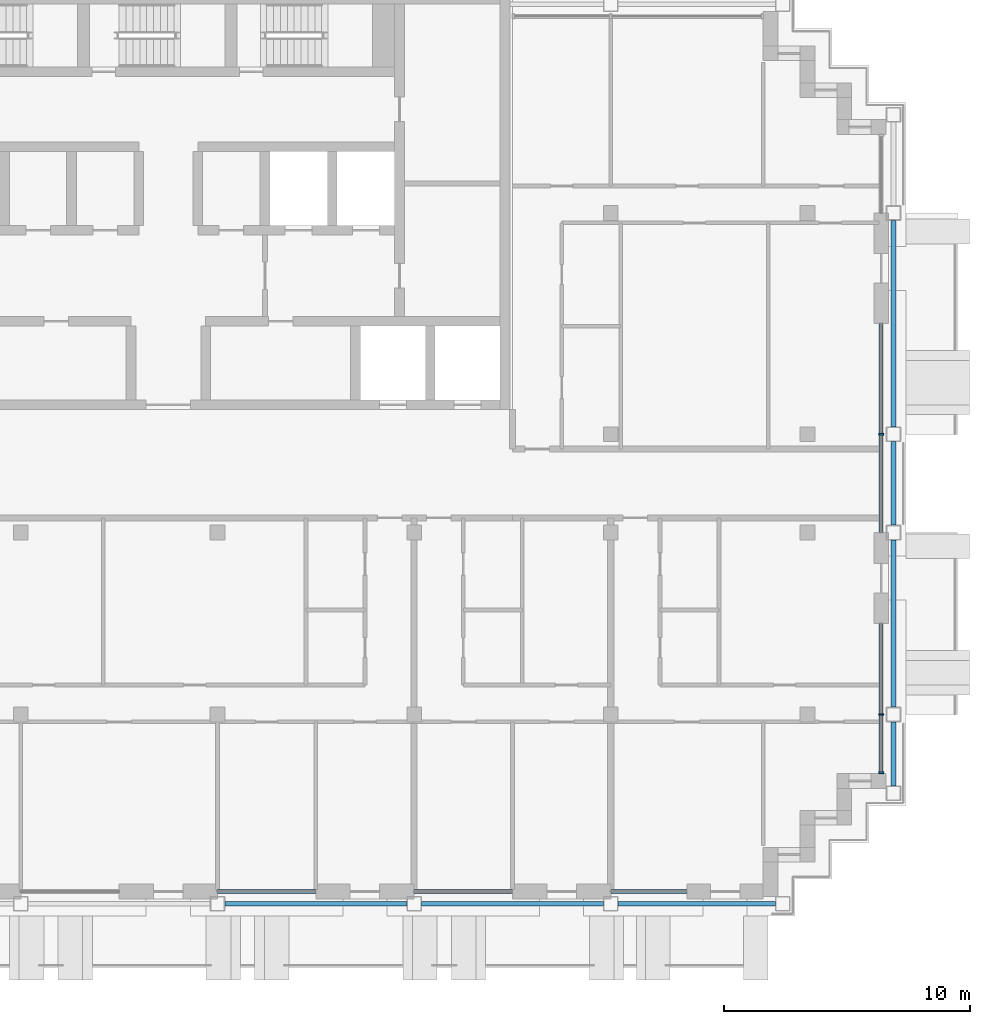
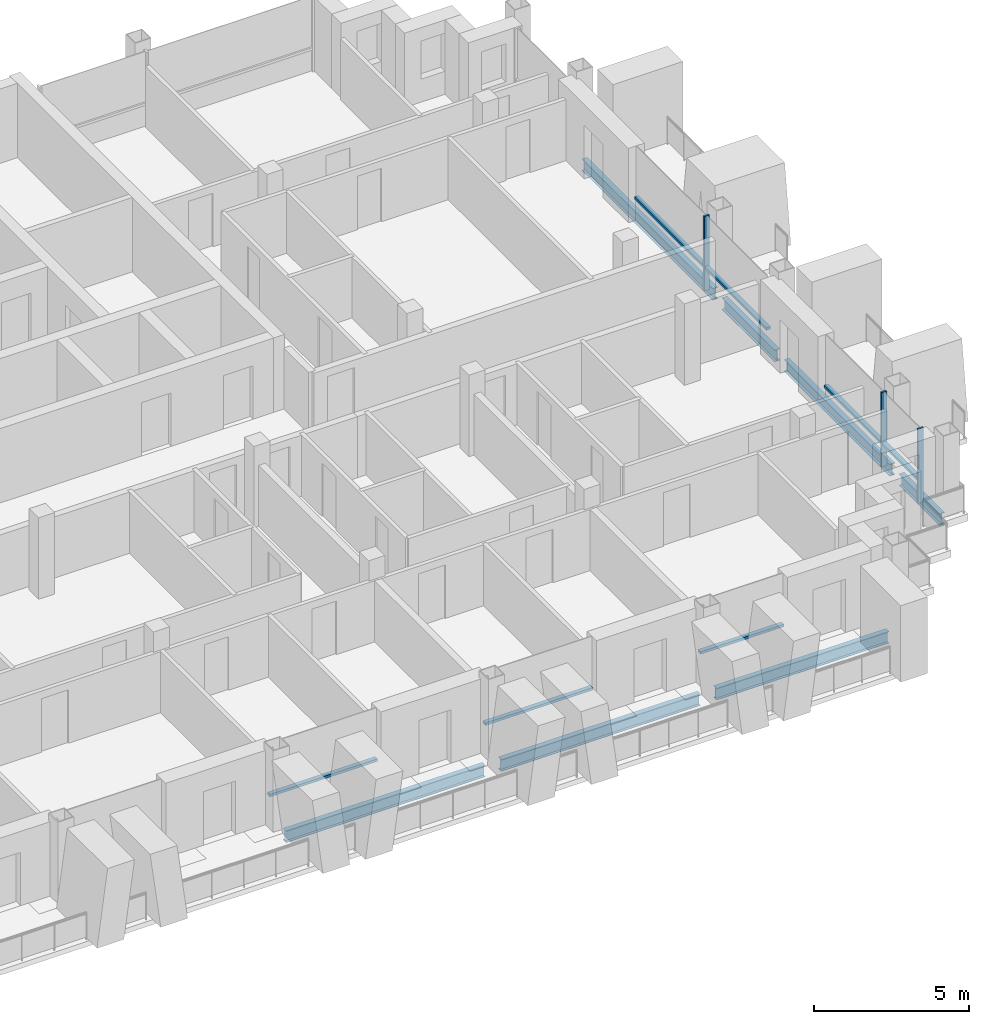
# One storey, part 3 of 15: 10 members, 7 beams, 5 elements without a shape of their own.
"""IFC4 building model written with IfcOpenShell, lengths in metres."""

from ifc_helpers import new_model, si_unit, direction, frame, origin, origin_2d, place, context, subcontext, project, spatial, rectangle, i_section, extrude, material, material_profile, profile_set, type_object, element, aggregate, save


model = new_model("IFC4")

# Units and contexts
model_context = context("Model", 3, precision=1e-05, world=origin(), true_north=direction((0.0, 1.0)))
body_context = subcontext(model_context, "Body", "Model", "MODEL_VIEW")
ifc_project = project(units=[si_unit("LENGTHUNIT", "METRE"), si_unit("AREAUNIT", "SQUARE_METRE"), si_unit("VOLUMEUNIT", "CUBIC_METRE"), si_unit("PLANEANGLEUNIT", "RADIAN"), si_unit("MASSUNIT", "GRAM", prefix="KILO")], contexts=[model_context])

# Site, building, storey
site_placement = place(None, origin())
site = spatial("IfcSite", under=ifc_project, at=site_placement, CompositionType="ELEMENT")
building_placement = place(site_placement, origin())
building = spatial("IfcBuilding", under=site, at=building_placement, Name="Vidyagriha Tower", CompositionType="ELEMENT")
storey_placement = place(building_placement, frame((0.0, 0.0, 214.0)))
storey = spatial("IfcBuildingStorey", under=building, at=storey_placement, Name="L55", CompositionType="ELEMENT", Elevation=214.0)

# Beams
ifc_material_1 = material(Name="Steel ASTM A992 Grade 50", Category="steel")
ifc_material_profile_1 = material_profile(ifc_material_1, i_section(OverallWidth=0.19189453125, OverallDepth=0.46240234375, WebThickness=0.010498046875, FlangeThickness=0.017578125, at=origin_2d()), Name="W18X60")
ifc_profile_set_1 = profile_set([ifc_material_profile_1], Name="Steel ASTM A992 Grade 50")
beam_type = type_object("IfcBeamType", Name="Edge beam W18X60", PredefinedType="SPANDREL", material=ifc_profile_set_1)
for number, where, z_axis, x_axis, name in (
    (1, (2.300048828125, -17.10009765625, -0.51123046875), (1.0, 0.0, 0.0), (0.0, 1.0, 0.0), "st-beam-L55-S05"),
    (2, (10.300048828125, -17.10009765625, -0.51123046875), (1.0, 0.0, 0.0), (0.0, 1.0, 0.0), "st-beam-L55-S06"),
):
    element("IfcBeam", number, at=place(storey_placement, frame(where, z_axis=z_axis, x_axis=x_axis)), inside=storey, type_object=beam_type, Name=name, PredefinedType="SPANDREL", context=body_context, shape_type="SweptSolid", body=[
        extrude(i_section(OverallWidth=0.19189453125, OverallDepth=0.46240234375, WebThickness=0.010498046875, FlangeThickness=0.017578125, at=origin_2d()), origin(), (0.0, 0.0, 1.0), 7.39990234375),
    ])
beam_1_placement = place(storey_placement, frame((18.300048828125, -17.10009765625, -0.51123046875), z_axis=(1.0, 0.0, 0.0), x_axis=(0.0, 1.0, 0.0)))
element("IfcBeam", 3, at=beam_1_placement, inside=storey, type_object=beam_type, Name="st-beam-L55-S07", PredefinedType="SPANDREL", context=body_context, shape_type="SweptSolid", body=[
    extrude(i_section(OverallWidth=0.19189453125, OverallDepth=0.46240234375, WebThickness=0.010498046875, FlangeThickness=0.017578125, at=origin_2d()), origin(), (0.0, 0.0, 1.0), 6.39990234375),
])
beam_2_placement = place(storey_placement, frame((29.5, -12.300048828125, -0.51123046875), z_axis=(0.0, 1.0, 0.0), x_axis=(-1.0, 0.0, 0.0)))
element("IfcBeam", 4, at=beam_2_placement, inside=storey, type_object=beam_type, Name="st-beam-L55-E13", PredefinedType="SPANDREL", context=body_context, shape_type="SweptSolid", body=[
    extrude(i_section(OverallWidth=0.19189453125, OverallDepth=0.46240234375, WebThickness=0.010498046875, FlangeThickness=0.017578125, at=origin_2d()), origin(), (0.0, 0.0, 1.0), 2.60009765625),
])
beam_3_placement = place(storey_placement, frame((29.5, -9.10009765625, -0.51123046875), z_axis=(0.0, 1.0, 0.0), x_axis=(-1.0, 0.0, 0.0)))
element("IfcBeam", 5, at=beam_3_placement, inside=storey, type_object=beam_type, Name="st-beam-L55-E14", PredefinedType="SPANDREL", context=body_context, shape_type="SweptSolid", body=[
    extrude(i_section(OverallWidth=0.19189453125, OverallDepth=0.46240234375, WebThickness=0.010498046875, FlangeThickness=0.017578125, at=origin_2d()), origin(), (0.0, 0.0, 1.0), 6.800048828125),
])
beam_4_placement = place(storey_placement, frame((29.5, -1.699951171875, -0.51123046875), z_axis=(0.0, 1.0, 0.0), x_axis=(-1.0, 0.0, 0.0)))
element("IfcBeam", 6, at=beam_4_placement, inside=storey, type_object=beam_type, Name="st-beam-L55-E15", PredefinedType="SPANDREL", context=body_context, shape_type="SweptSolid", body=[
    extrude(i_section(OverallWidth=0.19189453125, OverallDepth=0.46240234375, WebThickness=0.010498046875, FlangeThickness=0.017578125, at=origin_2d()), origin(), (0.0, 0.0, 1.0), 3.39990234375),
])
beam_5_placement = place(storey_placement, frame((29.5, 2.300048828125, -0.51123046875), z_axis=(0.0, 1.0, 0.0), x_axis=(-1.0, 0.0, 0.0)))
element("IfcBeam", 7, at=beam_5_placement, inside=storey, type_object=beam_type, Name="st-beam-L55-E16", PredefinedType="SPANDREL", context=body_context, shape_type="SweptSolid", body=[
    extrude(i_section(OverallWidth=0.19189453125, OverallDepth=0.46240234375, WebThickness=0.010498046875, FlangeThickness=0.017578125, at=origin_2d()), origin(), (0.0, 0.0, 1.0), 8.39990234375),
])

# Curtain wall, members
ifc_material_2 = material(Name="Aluminium and glass curtain wall", Category="aluminium")
curtain_wall_type = type_object("IfcCurtainWallType", Name="Dwelling skin unitised curtain wall", PredefinedType="USERDEFINED", material=ifc_material_2)
curtain_wall_1_placement = place(storey_placement, origin())
curtain_wall_1 = element("IfcCurtainWall", 8, at=curtain_wall_1_placement, inside=storey, type_object=curtain_wall_type, Name="CW1 dwelling skin", ObjectType="UNITISED", PredefinedType="USERDEFINED")
ifc_material_3 = material(Name="Aluminium black anodised", Category="aluminium")
ifc_material_profile_2 = material_profile(ifc_material_3, rectangle(XDim=0.199951171875, YDim=0.070068359375, at=origin_2d()), Name="Mullion 70x200 black aluminium")
ifc_profile_set_2 = profile_set([ifc_material_profile_2], Name="Aluminium black anodised")
member_type_1 = type_object("IfcMemberType", Name="Mullion 70x200 black aluminium", PredefinedType="MULLION", material=ifc_profile_set_2)
member_1_placement = place(storey_placement, frame((29.0, -11.764892578125, 0.0), z_axis=(0.0, 0.0, 1.0), x_axis=(-1.0, 0.0, 0.0)))
member_1 = element("IfcMember", 9, at=member_1_placement, type_object=member_type_1, Name="CW1 mullion 1", PredefinedType="MULLION", context=body_context, shape_type="SweptSolid", body=[
    extrude(rectangle(XDim=0.199951171875, YDim=0.070068359375, at=origin_2d()), origin(), (0.0, 0.0, 1.0), 2.919921875),
])
member_2_placement = place(storey_placement, frame((29.0, -9.39990234375, 0.0), z_axis=(0.0, 0.0, 1.0), x_axis=(-1.0, 0.0, 0.0)))
member_2 = element("IfcMember", 10, at=member_2_placement, type_object=member_type_1, Name="CW1 mullion 2", PredefinedType="MULLION", context=body_context, shape_type="SweptSolid", body=[
    extrude(rectangle(XDim=0.199951171875, YDim=0.070068359375, at=origin_2d()), origin(), (0.0, 0.0, 1.0), 2.919921875),
])

# Curtain wall, member
curtain_wall_2_placement = place(storey_placement, origin())
curtain_wall_2 = element("IfcCurtainWall", 11, at=curtain_wall_2_placement, inside=storey, type_object=curtain_wall_type, Name="CW1 dwelling skin", ObjectType="UNITISED", PredefinedType="USERDEFINED")
member_3_placement = place(storey_placement, frame((29.0, 2.0, 0.0), z_axis=(0.0, 0.0, 1.0), x_axis=(-1.0, 0.0, 0.0)))
member_3 = element("IfcMember", 12, at=member_3_placement, type_object=member_type_1, Name="CW1 mullion 2", PredefinedType="MULLION", context=body_context, shape_type="SweptSolid", body=[
    extrude(rectangle(XDim=0.199951171875, YDim=0.070068359375, at=origin_2d()), origin(), (0.0, 0.0, 1.0), 2.919921875),
])

curtain_wall_3_placement = place(storey_placement, origin())
curtain_wall_3 = element("IfcCurtainWall", 13, at=curtain_wall_3_placement, inside=storey, type_object=curtain_wall_type, Name="CW1 dwelling skin", ObjectType="UNITISED", PredefinedType="USERDEFINED")
ifc_material_4 = material(Name="Aluminium black anodised", Category="aluminium")
ifc_material_profile_3 = material_profile(ifc_material_4, rectangle(XDim=0.159912109375, YDim=0.10009765625, at=origin_2d()), Name="Transom 100x160 black aluminium")
ifc_profile_set_3 = profile_set([ifc_material_profile_3], Name="Aluminium black anodised")
member_type_2 = type_object("IfcMemberType", Name="Transom 100x160 black aluminium", PredefinedType="USERDEFINED", material=ifc_profile_set_3)
member_4_placement = place(storey_placement, frame((2.0, -16.60009765625, 0.89990234375), z_axis=(1.0, 0.0, 0.0), x_axis=(0.0, 1.0, 0.0)))
member_4 = element("IfcMember", 14, at=member_4_placement, type_object=member_type_2, Name="CW1 transom 1.1", ObjectType="TRANSOM", PredefinedType="USERDEFINED", context=body_context, shape_type="SweptSolid", body=[
    extrude(rectangle(XDim=0.159912109375, YDim=0.10009765625, at=origin_2d()), origin(), (0.0, 0.0, 1.0), 4.0),
])
aggregate(curtain_wall_3, [member_4])

curtain_wall_4_placement = place(storey_placement, origin())
curtain_wall_4 = element("IfcCurtainWall", 15, at=curtain_wall_4_placement, inside=storey, type_object=curtain_wall_type, Name="CW1 dwelling skin", ObjectType="UNITISED", PredefinedType="USERDEFINED")
member_5_placement = place(storey_placement, frame((10.0, -16.60009765625, 0.89990234375), z_axis=(1.0, 0.0, 0.0), x_axis=(0.0, 1.0, 0.0)))
member_5 = element("IfcMember", 16, at=member_5_placement, type_object=member_type_2, Name="CW1 transom 1.1", ObjectType="TRANSOM", PredefinedType="USERDEFINED", context=body_context, shape_type="SweptSolid", body=[
    extrude(rectangle(XDim=0.159912109375, YDim=0.10009765625, at=origin_2d()), origin(), (0.0, 0.0, 1.0), 4.0),
])
aggregate(curtain_wall_4, [member_5])

curtain_wall_5_placement = place(storey_placement, origin())
curtain_wall_5 = element("IfcCurtainWall", 17, at=curtain_wall_5_placement, inside=storey, type_object=curtain_wall_type, Name="CW1 dwelling skin", ObjectType="UNITISED", PredefinedType="USERDEFINED")
member_6_placement = place(storey_placement, frame((18.0, -16.60009765625, 0.89990234375), z_axis=(1.0, 0.0, 0.0), x_axis=(0.0, 1.0, 0.0)))
member_6 = element("IfcMember", 18, at=member_6_placement, type_object=member_type_2, Name="CW1 transom 1.1", ObjectType="TRANSOM", PredefinedType="USERDEFINED", context=body_context, shape_type="SweptSolid", body=[
    extrude(rectangle(XDim=0.159912109375, YDim=0.10009765625, at=origin_2d()), origin(), (0.0, 0.0, 1.0), 3.10009765625),
])
aggregate(curtain_wall_5, [member_6])

# Member
member_7_placement = place(storey_placement, frame((29.0, -11.72998046875, 0.89990234375), z_axis=(0.0, 1.0, 0.0), x_axis=(-1.0, 0.0, 0.0)))
member_7 = element("IfcMember", 19, at=member_7_placement, type_object=member_type_2, Name="CW1 transom 1.1", ObjectType="TRANSOM", PredefinedType="USERDEFINED", context=body_context, shape_type="SweptSolid", body=[
    extrude(rectangle(XDim=0.159912109375, YDim=0.10009765625, at=origin_2d()), origin(), (0.0, 0.0, 1.0), 2.294921875),
])

member_8_placement = place(storey_placement, frame((29.0, -9.364990234375, 0.89990234375), z_axis=(0.0, 1.0, 0.0), x_axis=(-1.0, 0.0, 0.0)))
member_8 = element("IfcMember", 20, at=member_8_placement, type_object=member_type_2, Name="CW1 transom 2.1", ObjectType="TRANSOM", PredefinedType="USERDEFINED", context=body_context, shape_type="SweptSolid", body=[
    extrude(rectangle(XDim=0.159912109375, YDim=0.10009765625, at=origin_2d()), origin(), (0.0, 0.0, 1.0), 3.6650390625),
])

aggregate(curtain_wall_1, [member_1, member_2, member_7, member_8])

member_9_placement = place(storey_placement, frame((29.0, -2.0, 0.89990234375), z_axis=(0.0, 1.0, 0.0), x_axis=(-1.0, 0.0, 0.0)))
member_9 = element("IfcMember", 21, at=member_9_placement, type_object=member_type_2, Name="CW1 transom 1.1", ObjectType="TRANSOM", PredefinedType="USERDEFINED", context=body_context, shape_type="SweptSolid", body=[
    extrude(rectangle(XDim=0.159912109375, YDim=0.10009765625, at=origin_2d()), origin(), (0.0, 0.0, 1.0), 3.965087890625),
])

member_10_placement = place(storey_placement, frame((29.0, 2.034912109375, 0.89990234375), z_axis=(0.0, 1.0, 0.0), x_axis=(-1.0, 0.0, 0.0)))
member_10 = element("IfcMember", 22, at=member_10_placement, type_object=member_type_2, Name="CW1 transom 2.1", ObjectType="TRANSOM", PredefinedType="USERDEFINED", context=body_context, shape_type="SweptSolid", body=[
    extrude(rectangle(XDim=0.159912109375, YDim=0.10009765625, at=origin_2d()), origin(), (0.0, 0.0, 1.0), 4.465087890625),
])

aggregate(curtain_wall_2, [member_3, member_9, member_10])

save(model, "model.ifc")
